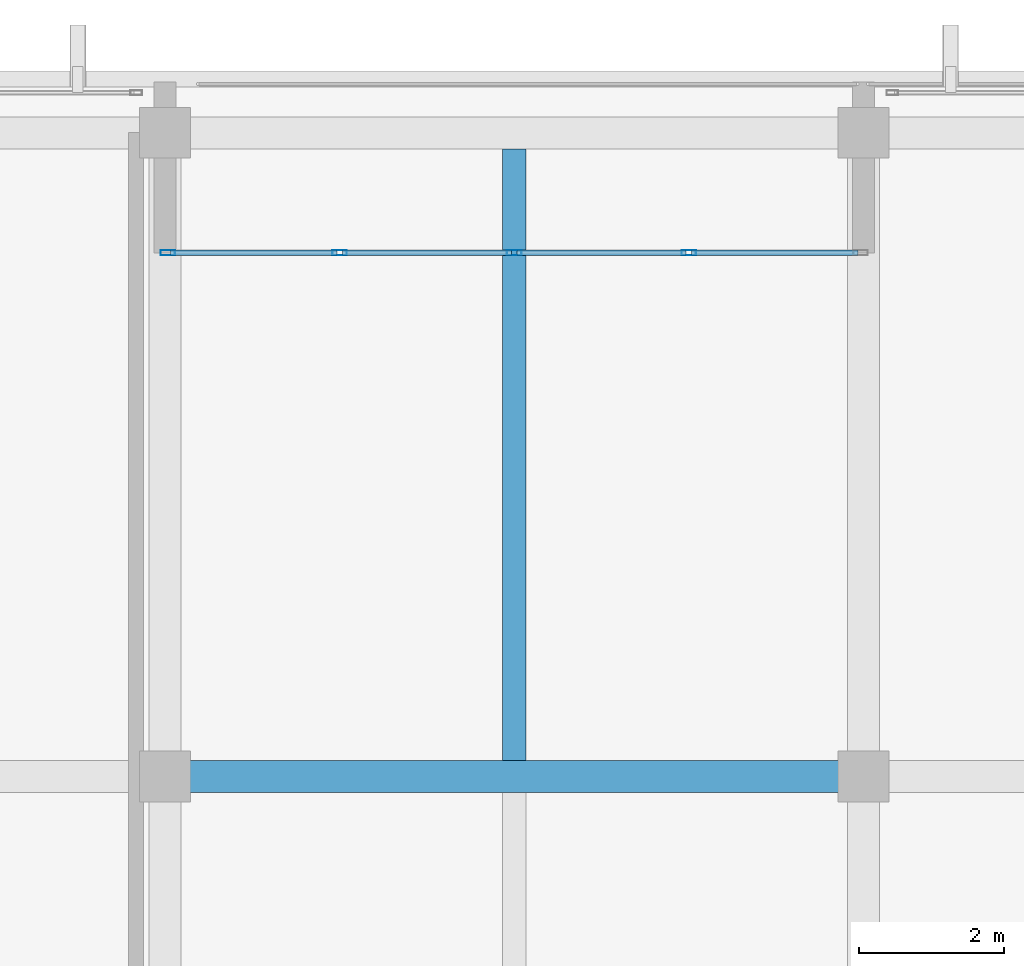
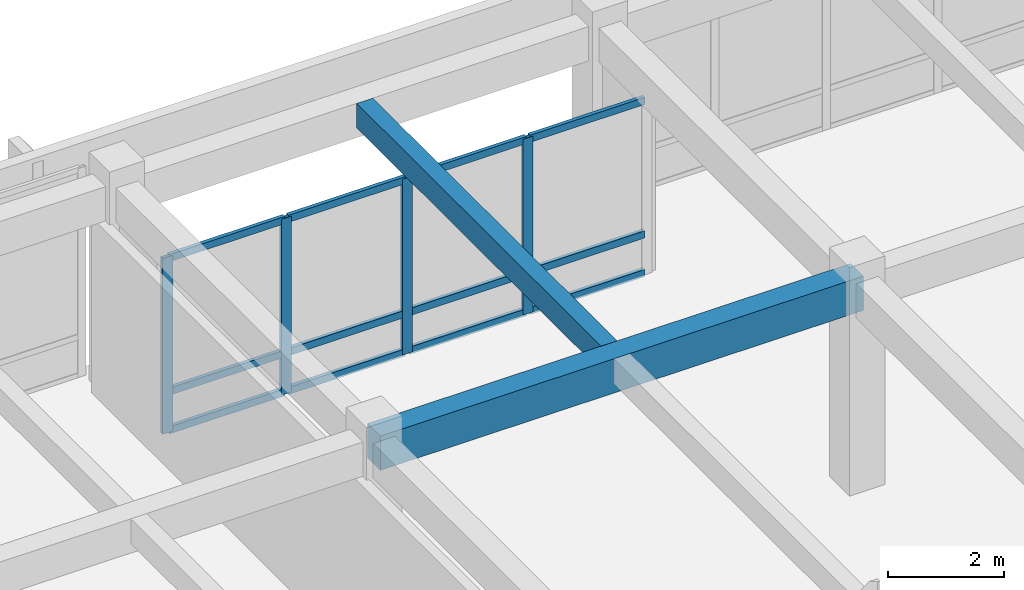
# One storey, part 38 of 133: 16 members, 2 beams, 1 element without a shape of its own.
"""IFC4 building model written with IfcOpenShell, lengths in metres."""

from ifc_helpers import new_model, si_unit, direction, frame, origin, origin_2d, place, context, subcontext, project, spatial, rectangle, hollow_rectangle, extrude, material, layer, layer_set, material_profile, profile_set, type_object, element, aggregate, save


model = new_model("IFC4")

# Units and contexts
model_context = context("Model", 3, precision=1e-05, world=origin(), true_north=direction((0.0, 1.0)))
body_context = subcontext(model_context, "Body", "Model", "MODEL_VIEW")
ifc_project = project(units=[si_unit("LENGTHUNIT", "METRE"), si_unit("AREAUNIT", "SQUARE_METRE"), si_unit("VOLUMEUNIT", "CUBIC_METRE"), si_unit("PLANEANGLEUNIT", "RADIAN"), si_unit("MASSUNIT", "GRAM", prefix="KILO")], contexts=[model_context])

# Site, building, storey
site_placement = place(None, origin())
site = spatial("IfcSite", under=ifc_project, at=site_placement, CompositionType="ELEMENT")
building_placement = place(site_placement, origin())
building = spatial("IfcBuilding", under=site, at=building_placement, Name="Nakhvara Creek Congress Hotel", CompositionType="ELEMENT")
storey_placement = place(building_placement, frame((0.0, 0.0, 11.39990234375)))
storey = spatial("IfcBuildingStorey", under=building, at=storey_placement, Name="L02", CompositionType="ELEMENT", Elevation=11.39990234375)

# Beams
ifc_material_1 = material(Name="Concrete C40/50", Category="concrete")
ifc_material_profile_1 = material_profile(ifc_material_1, rectangle(XDim=0.320068359375, YDim=0.52001953125, at=origin_2d()), Name="RC-BM 320x520", Category="LoadBearing")
ifc_profile_set_1 = profile_set([ifc_material_profile_1], Name="Concrete C40/50")
beam_type_1 = type_object("IfcBeamType", Name="BM-RC-320X520", PredefinedType="JOIST", material=ifc_profile_set_1)
beam_1_placement = place(storey_placement, frame((91.199951171875, 86.6201171875, 4.16015625), z_axis=(0.0, 1.0, 0.0), x_axis=(-1.0, 0.0, 0.0)))
element("IfcBeam", 1, at=beam_1_placement, inside=storey, type_object=beam_type_1, Name="Secondary Joist BJ2-L02-1675", PredefinedType="JOIST", context=body_context, shape_type="SweptSolid", body=[
    extrude(rectangle(XDim=0.320068359375, YDim=0.52001953125, at=origin_2d()), origin(), (0.0, 0.0, 1.0), 8.409912109375),
])
ifc_material_profile_2 = material_profile(ifc_material_1, rectangle(XDim=0.43994140625, YDim=0.719970703125, at=origin_2d()), Name="RC-BM 440x720", Category="LoadBearing")
ifc_profile_set_2 = profile_set([ifc_material_profile_2], Name="Concrete C40/50")
beam_type_2 = type_object("IfcBeamType", Name="BM-RC-440X720", PredefinedType="BEAM", material=ifc_profile_set_2)
beam_2_placement = place(storey_placement, frame((86.39990234375, 86.39990234375, 4.06005859375), z_axis=(1.0, 0.0, 0.0), x_axis=(0.0, 1.0, 0.0)))
element("IfcBeam", 2, at=beam_2_placement, inside=storey, type_object=beam_type_2, Name="Beam B12-L02-1477", PredefinedType="BEAM", context=body_context, shape_type="SweptSolid", body=[
    extrude(rectangle(XDim=0.43994140625, YDim=0.719970703125, at=origin_2d()), origin(), (0.0, 0.0, 1.0), 9.60009765625),
])

# Curtain wall, members
ifc_material_2 = material(Name="Bronze-anodised aluminium AW-6063-T6 and double-silver low-E glass", Category="aluminium")
ifc_layer = layer(ifc_material_2, 0.219970703125)
ifc_layer_set = layer_set([ifc_layer], Name="Bronze-anodised aluminium AW-6063-T6 and double-silver low-E glass")
curtain_wall_type = type_object("IfcCurtainWallType", Name="CW-BOX-REC", PredefinedType="USERDEFINED", material=ifc_layer_set)
curtain_wall_placement = place(storey_placement, origin())
curtain_wall = element("IfcCurtainWall", 3, at=curtain_wall_placement, inside=storey, type_object=curtain_wall_type, Name="Curtain Wall CW084", ObjectType="UNITISED", PredefinedType="USERDEFINED")
ifc_material_3 = material(Name="Bronze-anodised aluminium AW-6063-T6", Category="aluminium")
ifc_material_profile_3 = material_profile(ifc_material_3, hollow_rectangle(XDim=0.074951171875, YDim=0.199951171875, WallThickness=0.0048828125, at=origin_2d()), Name="ALU-MULL 75x200x5", Category="LoadBearing")
ifc_profile_set_3 = profile_set([ifc_material_profile_3], Name="Bronze-anodised aluminium AW-6063-T6")
member_type_1 = type_object("IfcMemberType", Name="CW-MULL-200", PredefinedType="MULLION", material=ifc_profile_set_3)
member_1_placement = place(storey_placement, frame((86.4375, 93.60009765625, 0.0), z_axis=(0.0, 0.0, 1.0), x_axis=(0.0, 1.0, 0.0)))
member_1 = element("IfcMember", 4, at=member_1_placement, type_object=member_type_1, Name="CW084 mullion 1", PredefinedType="MULLION", context=body_context, shape_type="SweptSolid", body=[
    extrude(hollow_rectangle(XDim=0.074951171875, YDim=0.199951171875, WallThickness=0.0048828125, at=origin_2d()), origin(), (0.0, 0.0, 1.0), 3.692138671875),
])
member_2_placement = place(storey_placement, frame((88.800048828125, 93.60009765625, 0.0), z_axis=(0.0, 0.0, 1.0), x_axis=(0.0, 1.0, 0.0)))
member_2 = element("IfcMember", 5, at=member_2_placement, type_object=member_type_1, Name="CW084 mullion 2", PredefinedType="MULLION", context=body_context, shape_type="SweptSolid", body=[
    extrude(hollow_rectangle(XDim=0.074951171875, YDim=0.199951171875, WallThickness=0.0048828125, at=origin_2d()), origin(), (0.0, 0.0, 1.0), 3.692138671875),
])
member_3_placement = place(storey_placement, frame((91.199951171875, 93.60009765625, 0.0), z_axis=(0.0, 0.0, 1.0), x_axis=(0.0, 1.0, 0.0)))
member_3 = element("IfcMember", 6, at=member_3_placement, type_object=member_type_1, Name="CW084 mullion 3", PredefinedType="MULLION", context=body_context, shape_type="SweptSolid", body=[
    extrude(hollow_rectangle(XDim=0.074951171875, YDim=0.199951171875, WallThickness=0.0048828125, at=origin_2d()), origin(), (0.0, 0.0, 1.0), 3.692138671875),
])
member_4_placement = place(storey_placement, frame((93.60009765625, 93.60009765625, 0.0), z_axis=(0.0, 0.0, 1.0), x_axis=(0.0, 1.0, 0.0)))
member_4 = element("IfcMember", 7, at=member_4_placement, type_object=member_type_1, Name="CW084 mullion 4", PredefinedType="MULLION", context=body_context, shape_type="SweptSolid", body=[
    extrude(hollow_rectangle(XDim=0.074951171875, YDim=0.199951171875, WallThickness=0.0048828125, at=origin_2d()), origin(), (0.0, 0.0, 1.0), 3.692138671875),
])
ifc_material_profile_4 = material_profile(ifc_material_3, hollow_rectangle(XDim=0.074951171875, YDim=0.14990234375, WallThickness=0.00390625, at=origin_2d()), Name="ALU-TRAN 75x150x4", Category="LoadBearing")
ifc_profile_set_4 = profile_set([ifc_material_profile_4], Name="Bronze-anodised aluminium AW-6063-T6")
member_type_2 = type_object("IfcMemberType", Name="CW-TRAN-150", PredefinedType="USERDEFINED", material=ifc_profile_set_4)
member_5_placement = place(storey_placement, frame((86.47509765625, 93.60009765625, 0.03759765625), z_axis=(1.0, 0.0, 0.0), x_axis=(0.0, 1.0, 0.0)))
member_5 = element("IfcMember", 8, at=member_5_placement, type_object=member_type_2, Name="CW084 transom 1.1", ObjectType="TRANSOM", PredefinedType="USERDEFINED", context=body_context, shape_type="SweptSolid", body=[
    extrude(hollow_rectangle(XDim=0.074951171875, YDim=0.14990234375, WallThickness=0.00390625, at=origin_2d()), origin(), (0.0, 0.0, 1.0), 2.287353515625),
])
member_6_placement = place(storey_placement, frame((86.47509765625, 93.60009765625, 0.85009765625), z_axis=(1.0, 0.0, 0.0), x_axis=(0.0, 1.0, 0.0)))
member_6 = element("IfcMember", 9, at=member_6_placement, type_object=member_type_2, Name="CW084 transom 1.2", ObjectType="TRANSOM", PredefinedType="USERDEFINED", context=body_context, shape_type="SweptSolid", body=[
    extrude(hollow_rectangle(XDim=0.074951171875, YDim=0.14990234375, WallThickness=0.00390625, at=origin_2d()), origin(), (0.0, 0.0, 1.0), 2.287353515625),
])
member_7_placement = place(storey_placement, frame((86.47509765625, 93.60009765625, 3.654541015625), z_axis=(1.0, 0.0, 0.0), x_axis=(0.0, 1.0, 0.0)))
member_7 = element("IfcMember", 10, at=member_7_placement, type_object=member_type_2, Name="CW084 transom 1.3", ObjectType="TRANSOM", PredefinedType="USERDEFINED", context=body_context, shape_type="SweptSolid", body=[
    extrude(hollow_rectangle(XDim=0.074951171875, YDim=0.14990234375, WallThickness=0.00390625, at=origin_2d()), origin(), (0.0, 0.0, 1.0), 2.287353515625),
])
member_8_placement = place(storey_placement, frame((88.83740234375, 93.60009765625, 0.03759765625), z_axis=(1.0, 0.0, 0.0), x_axis=(0.0, 1.0, 0.0)))
member_8 = element("IfcMember", 11, at=member_8_placement, type_object=member_type_2, Name="CW084 transom 2.1", ObjectType="TRANSOM", PredefinedType="USERDEFINED", context=body_context, shape_type="SweptSolid", body=[
    extrude(hollow_rectangle(XDim=0.074951171875, YDim=0.14990234375, WallThickness=0.00390625, at=origin_2d()), origin(), (0.0, 0.0, 1.0), 2.3251953125),
])
member_9_placement = place(storey_placement, frame((88.83740234375, 93.60009765625, 0.85009765625), z_axis=(1.0, 0.0, 0.0), x_axis=(0.0, 1.0, 0.0)))
member_9 = element("IfcMember", 12, at=member_9_placement, type_object=member_type_2, Name="CW084 transom 2.2", ObjectType="TRANSOM", PredefinedType="USERDEFINED", context=body_context, shape_type="SweptSolid", body=[
    extrude(hollow_rectangle(XDim=0.074951171875, YDim=0.14990234375, WallThickness=0.00390625, at=origin_2d()), origin(), (0.0, 0.0, 1.0), 2.3251953125),
])
member_10_placement = place(storey_placement, frame((88.83740234375, 93.60009765625, 3.654541015625), z_axis=(1.0, 0.0, 0.0), x_axis=(0.0, 1.0, 0.0)))
member_10 = element("IfcMember", 13, at=member_10_placement, type_object=member_type_2, Name="CW084 transom 2.3", ObjectType="TRANSOM", PredefinedType="USERDEFINED", context=body_context, shape_type="SweptSolid", body=[
    extrude(hollow_rectangle(XDim=0.074951171875, YDim=0.14990234375, WallThickness=0.00390625, at=origin_2d()), origin(), (0.0, 0.0, 1.0), 2.3251953125),
])
member_11_placement = place(storey_placement, frame((91.237548828125, 93.60009765625, 0.03759765625), z_axis=(1.0, 0.0, 0.0), x_axis=(0.0, 1.0, 0.0)))
member_11 = element("IfcMember", 14, at=member_11_placement, type_object=member_type_2, Name="CW084 transom 3.1", ObjectType="TRANSOM", PredefinedType="USERDEFINED", context=body_context, shape_type="SweptSolid", body=[
    extrude(hollow_rectangle(XDim=0.074951171875, YDim=0.14990234375, WallThickness=0.00390625, at=origin_2d()), origin(), (0.0, 0.0, 1.0), 2.324951171875),
])
member_12_placement = place(storey_placement, frame((91.237548828125, 93.60009765625, 0.85009765625), z_axis=(1.0, 0.0, 0.0), x_axis=(0.0, 1.0, 0.0)))
member_12 = element("IfcMember", 15, at=member_12_placement, type_object=member_type_2, Name="CW084 transom 3.2", ObjectType="TRANSOM", PredefinedType="USERDEFINED", context=body_context, shape_type="SweptSolid", body=[
    extrude(hollow_rectangle(XDim=0.074951171875, YDim=0.14990234375, WallThickness=0.00390625, at=origin_2d()), origin(), (0.0, 0.0, 1.0), 2.324951171875),
])
member_13_placement = place(storey_placement, frame((91.237548828125, 93.60009765625, 3.654541015625), z_axis=(1.0, 0.0, 0.0), x_axis=(0.0, 1.0, 0.0)))
member_13 = element("IfcMember", 16, at=member_13_placement, type_object=member_type_2, Name="CW084 transom 3.3", ObjectType="TRANSOM", PredefinedType="USERDEFINED", context=body_context, shape_type="SweptSolid", body=[
    extrude(hollow_rectangle(XDim=0.074951171875, YDim=0.14990234375, WallThickness=0.00390625, at=origin_2d()), origin(), (0.0, 0.0, 1.0), 2.324951171875),
])
member_14_placement = place(storey_placement, frame((93.637451171875, 93.60009765625, 0.03759765625), z_axis=(1.0, 0.0, 0.0), x_axis=(0.0, 1.0, 0.0)))
member_14 = element("IfcMember", 17, at=member_14_placement, type_object=member_type_2, Name="CW084 transom 4.1", ObjectType="TRANSOM", PredefinedType="USERDEFINED", context=body_context, shape_type="SweptSolid", body=[
    extrude(hollow_rectangle(XDim=0.074951171875, YDim=0.14990234375, WallThickness=0.00390625, at=origin_2d()), origin(), (0.0, 0.0, 1.0), 2.28759765625),
])
member_15_placement = place(storey_placement, frame((93.637451171875, 93.60009765625, 0.85009765625), z_axis=(1.0, 0.0, 0.0), x_axis=(0.0, 1.0, 0.0)))
member_15 = element("IfcMember", 18, at=member_15_placement, type_object=member_type_2, Name="CW084 transom 4.2", ObjectType="TRANSOM", PredefinedType="USERDEFINED", context=body_context, shape_type="SweptSolid", body=[
    extrude(hollow_rectangle(XDim=0.074951171875, YDim=0.14990234375, WallThickness=0.00390625, at=origin_2d()), origin(), (0.0, 0.0, 1.0), 2.28759765625),
])
member_16_placement = place(storey_placement, frame((93.637451171875, 93.60009765625, 3.654541015625), z_axis=(1.0, 0.0, 0.0), x_axis=(0.0, 1.0, 0.0)))
member_16 = element("IfcMember", 19, at=member_16_placement, type_object=member_type_2, Name="CW084 transom 4.3", ObjectType="TRANSOM", PredefinedType="USERDEFINED", context=body_context, shape_type="SweptSolid", body=[
    extrude(hollow_rectangle(XDim=0.074951171875, YDim=0.14990234375, WallThickness=0.00390625, at=origin_2d()), origin(), (0.0, 0.0, 1.0), 2.28759765625),
])
aggregate(curtain_wall, [member_1, member_2, member_3, member_4, member_5, member_6, member_7, member_8, member_9, member_10, member_11, member_12, member_13, member_14, member_15, member_16])

save(model, "model.ifc")
